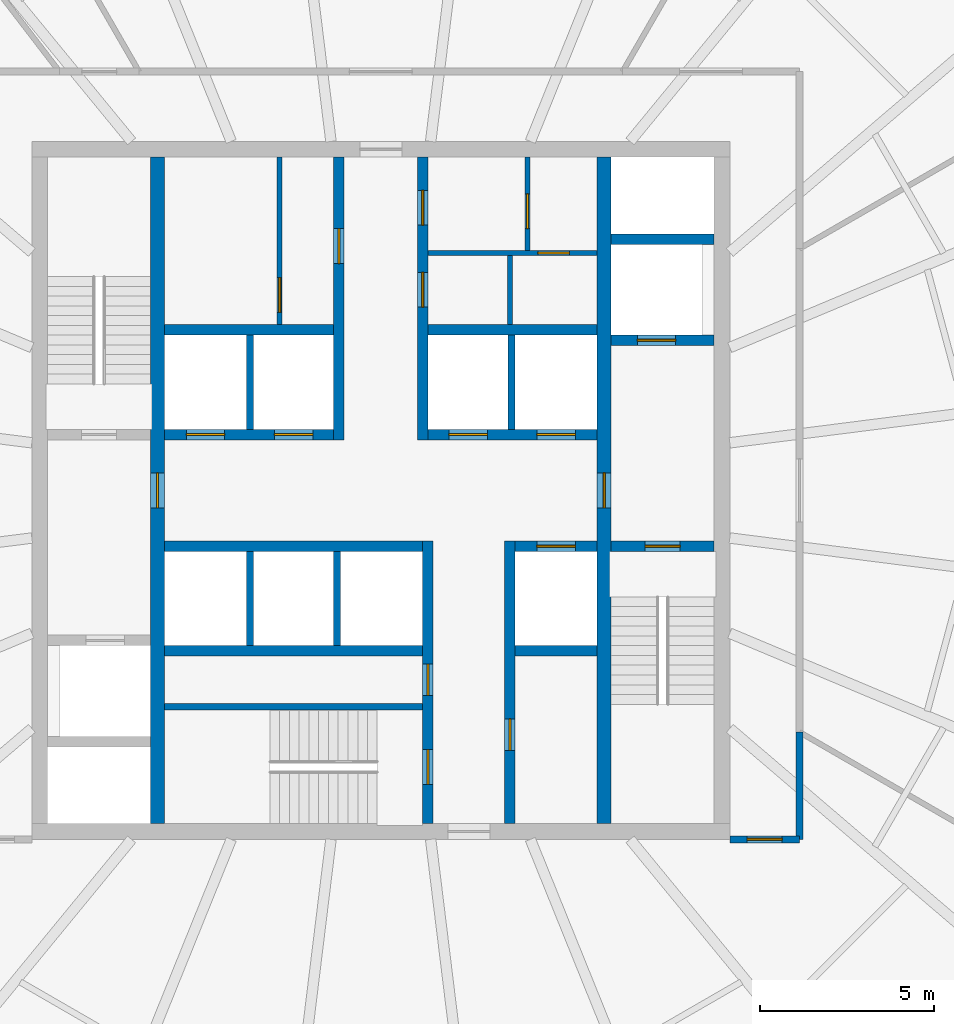
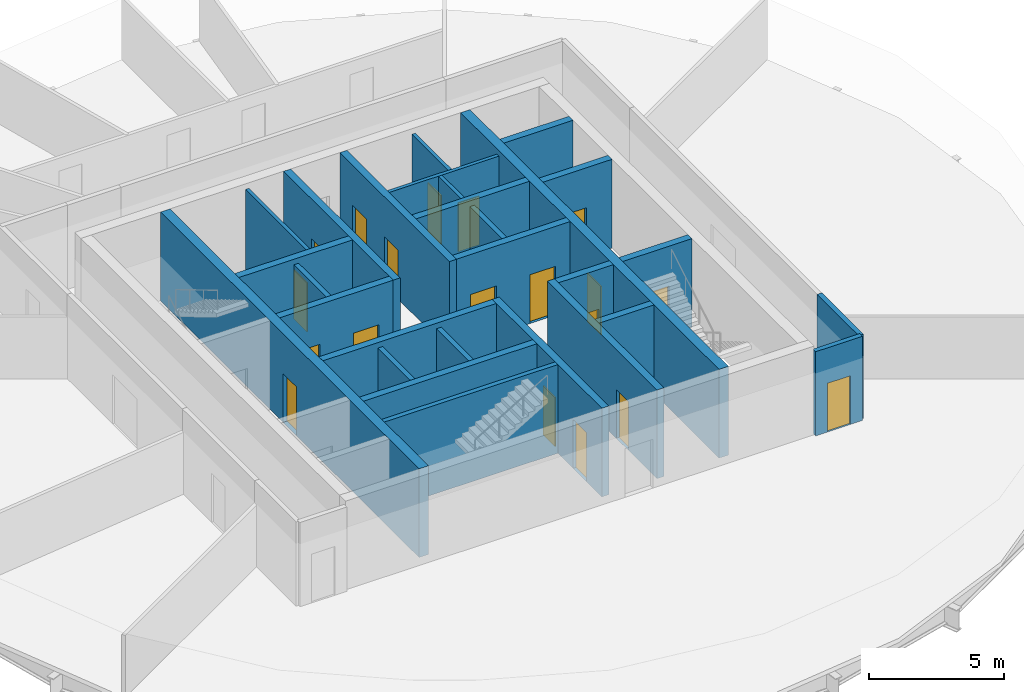
# One storey, part 3 of 5: 28 walls, 19 doors, 19 openings.
"""IFC4 building model written with IfcOpenShell, lengths in metres."""

import ifcopenshell
import ifcopenshell.guid

model = None  # the IFC model being written
_history = None  # IfcOwnerHistory: only IFC2X3 demands one
_inside = {}  # id of a spatial element -> (the spatial element, [elements in it])
_under = {}  # id of a project, library or spatial element -> (it, [spatial elements below it])
_declared = {}  # id of a project -> (the project, [libraries it declares])
_typed = {}  # id of a type object -> (the type object, [elements of that type])
_made_of = {}  # id of a material, layer set ... -> (it, [elements and type objects made of it])


def new_model(schema):
    """Start an empty IFC model of exactly this schema.

    Asked for "IFC4X3", IfcOpenShell would pick the latest addendum, in which some entities
    have other attributes; the version numbers below select the first issue.
    IFC2X3 requires an IfcOwnerHistory on every rooted entity: one is made here for all.
    """
    global model, _history
    if schema == "IFC4X3":
        model = ifcopenshell.file(schema_version=(4, 3, 0, 0))
    else:
        model = ifcopenshell.file(schema=schema)
    _inside.clear()
    _under.clear()
    _declared.clear()
    _typed.clear()
    _made_of.clear()
    _history = None
    if model.schema == "IFC2X3":
        org = make("IfcOrganization", Name="unknown")
        user = make(
            "IfcPersonAndOrganization",
            ThePerson=make("IfcPerson", FamilyName="unknown"),
            TheOrganization=org,
        )
        app = make(
            "IfcApplication",
            ApplicationDeveloper=org,
            Version="unknown",
            ApplicationFullName="unknown",
            ApplicationIdentifier="unknown",
        )
        _history = make(
            "IfcOwnerHistory",
            OwningUser=user,
            OwningApplication=app,
            ChangeAction="ADDED",
            CreationDate=0,
        )
    return model


def make(cls, **values):
    """One entity of the class cls with the attributes given. An attribute that is None is left unset."""
    return model.create_entity(
        cls, **{name: value for name, value in values.items() if value is not None}
    )


def rooted(cls, **values):
    """An entity with a GlobalId (a new one), such as an element, a storey or a relation."""
    return make(cls, GlobalId=ifcopenshell.guid.new(), OwnerHistory=_history, **values)


def si_unit(unit_type, name, prefix=None):
    """IfcSIUnit, for example si_unit("LENGTHUNIT", "METRE", prefix="MILLI")."""
    return make("IfcSIUnit", UnitType=unit_type, Prefix=prefix, Name=name)


def assignment(units):
    """IfcUnitAssignment: the units of a project."""
    return None if units is None else make("IfcUnitAssignment", Units=units)


def point(xyz):
    """IfcCartesianPoint."""
    return None if xyz is None else make("IfcCartesianPoint", Coordinates=xyz)


def direction(xyz):
    """IfcDirection."""
    return None if xyz is None else make("IfcDirection", DirectionRatios=xyz)


def frame(location, z_axis=None, x_axis=None):
    """IfcAxis2Placement3D, a coordinate frame: its origin and axes. An axis left out is left unset."""
    return make(
        "IfcAxis2Placement3D",
        Location=point(location),
        Axis=direction(z_axis),
        RefDirection=direction(x_axis),
    )


def frame_2d(location, x_axis=None):
    """IfcAxis2Placement2D, a coordinate frame in the plane: its origin and x axis."""
    return make(
        "IfcAxis2Placement2D", Location=point(location), RefDirection=direction(x_axis)
    )


def origin():
    """The frame at (0, 0, 0) with its axes left unset."""
    return frame((0.0, 0.0, 0.0))


def place(relative_to, where):
    """IfcLocalPlacement: puts the frame where relative to a parent placement (None: the world)."""
    return make(
        "IfcLocalPlacement", PlacementRelTo=relative_to, RelativePlacement=where
    )


def context(
    kind, dimensions, precision=None, world=None, true_north=None, identifier=None
):
    """IfcGeometricRepresentationContext, for example the 3D "Model" context."""
    return make(
        "IfcGeometricRepresentationContext",
        ContextIdentifier=identifier,
        ContextType=kind,
        CoordinateSpaceDimension=dimensions,
        Precision=precision,
        WorldCoordinateSystem=world,
        TrueNorth=true_north,
    )


def subcontext(parent, identifier, kind, view, scale=None):
    """IfcGeometricRepresentationSubContext, for example "Body" below "Model"."""
    return make(
        "IfcGeometricRepresentationSubContext",
        ContextIdentifier=identifier,
        ContextType=kind,
        ParentContext=parent,
        TargetScale=scale,
        TargetView=view,
    )


def project(units=None, contexts=None):
    """IfcProject with its units and contexts."""
    return rooted(
        "IfcProject",
        Name="project",
        RepresentationContexts=contexts,
        UnitsInContext=assignment(units),
    )


def spatial(cls, under=None, at=None, **own):
    """A site, building, storey or space (cls), placed at a placement, below another one or the project."""
    s = rooted(cls, ObjectPlacement=at, **own)
    if under is not None:
        _under.setdefault(under.id(), (under, []))[1].append(s)
    return s


def profile(cls, at=None, kind="AREA", **sizes):
    """A parametric profile (cls). Its sizes go by their IFC names, for example OverallWidth=200.0."""
    return make(cls, ProfileType=kind, Position=at, **sizes)


def rectangle(**sizes):
    """IfcRectangleProfileDef."""
    return profile("IfcRectangleProfileDef", **sizes)


def extrude(swept, where, along, depth):
    """IfcExtrudedAreaSolid: the profile swept, set in the frame where, extruded along a direction by depth."""
    return make(
        "IfcExtrudedAreaSolid",
        SweptArea=swept,
        Position=where,
        ExtrudedDirection=direction(along),
        Depth=depth,
    )


def shape(context_of_items, identifier, shape_type, items):
    """IfcShapeRepresentation: the items that make up one representation, for example the "Body"."""
    return make(
        "IfcShapeRepresentation",
        ContextOfItems=context_of_items,
        RepresentationIdentifier=identifier,
        RepresentationType=shape_type,
        Items=items,
    )


def material(Name=None, Category=None):
    """IfcMaterial."""
    return make("IfcMaterial", Name=Name, Category=Category)


def layer(
    of_material, thickness, ventilated=None, Name=None, Category=None, Priority=None
):
    """IfcMaterialLayer: one layer of a wall or slab, of a material (None: an air gap)."""
    return make(
        "IfcMaterialLayer",
        Material=of_material,
        LayerThickness=thickness,
        IsVentilated=ventilated,
        Name=Name,
        Category=Category,
        Priority=Priority,
    )


def layer_set(layers, Name=None):
    """IfcMaterialLayerSet."""
    return make("IfcMaterialLayerSet", MaterialLayers=layers, LayerSetName=Name)


def made_of(thing, what):
    """Note that an element or type object is made of a material, layer set ...; save() writes the relation."""
    if what is not None:
        _made_of.setdefault(what.id(), (what, []))[1].append(thing)
    return thing


def type_object(cls, material=None, **own):
    """A type object (cls), such as IfcWallType, which elements share."""
    return made_of(rooted(cls, **own), material)


def element(
    cls,
    number,
    at=None,
    inside=None,
    cuts=None,
    type_object=None,
    material=None,
    context=None,
    identifier="Body",
    shape_type=None,
    held_by="IfcProductDefinitionShape",
    body=None,
    shapes=None,
    **own,
):
    """One element of the class cls, such as IfcWall. Its Tag is "e" and its number.

    at: its placement. inside: the storey or other place that contains it. cuts: it is an
    opening in that element (IfcRelVoidsElement). A single representation is given by context,
    identifier, shape_type and body (its items); several are given by shapes. held_by: the class
    of the entity that holds the representations. save() writes the other relations.
    """
    e = rooted(cls, Tag="e%d" % number, ObjectPlacement=at, **own)
    if body is not None:
        shapes = [shape(context, identifier, shape_type, body)]
    if shapes is not None:
        e.Representation = make(held_by, Representations=shapes)
    if inside is not None:
        _inside.setdefault(inside.id(), (inside, []))[1].append(e)
    if cuts is not None:
        rooted(
            "IfcRelVoidsElement", RelatingBuildingElement=cuts, RelatedOpeningElement=e
        )
    if type_object is not None:
        _typed.setdefault(type_object.id(), (type_object, []))[1].append(e)
    return made_of(e, material)


def fill(opening, filler):
    """IfcRelFillsElement: the door or window that sits in an opening."""
    return rooted(
        "IfcRelFillsElement",
        RelatingOpeningElement=opening,
        RelatedBuildingElement=filler,
    )


def aggregate(whole, parts):
    """IfcRelAggregates: a whole, such as a stair, and the parts it consists of."""
    return rooted("IfcRelAggregates", RelatingObject=whole, RelatedObjects=parts)


def save(model, path):
    """Write the relations noted so far, then the file.

    IfcRelAggregates (storeys below a building ...), IfcRelContainedInSpatialStructure (elements
    in a storey), IfcRelDefinesByType, IfcRelAssociatesMaterial and IfcRelDeclares: one each for
    every whole, place, type object, material and project.
    """
    for whole, parts in _under.values():
        aggregate(whole, parts)
    for where, things in _inside.values():
        rooted(
            "IfcRelContainedInSpatialStructure",
            RelatedElements=things,
            RelatingStructure=where,
        )
    for kind, things in _typed.values():
        rooted("IfcRelDefinesByType", RelatedObjects=things, RelatingType=kind)
    for what, things in _made_of.values():
        rooted("IfcRelAssociatesMaterial", RelatedObjects=things, RelatingMaterial=what)
    for by, libraries in _declared.values():
        rooted("IfcRelDeclares", RelatingContext=by, RelatedDefinitions=libraries)
    model.write(path)


model = new_model("IFC4")

# Units and contexts
model_context = context("Model", 3, precision=1e-05, world=origin(), true_north=direction((0.0, 1.0)))
body_context = subcontext(model_context, "Body", "Model", "MODEL_VIEW")
ifc_project = project(units=[si_unit("LENGTHUNIT", "METRE"), si_unit("AREAUNIT", "SQUARE_METRE"), si_unit("VOLUMEUNIT", "CUBIC_METRE"), si_unit("PLANEANGLEUNIT", "RADIAN"), si_unit("MASSUNIT", "GRAM", prefix="KILO")], contexts=[model_context])

# Site, building, storey
site_placement = place(None, origin())
site = spatial("IfcSite", under=ifc_project, at=site_placement, CompositionType="ELEMENT")
building_placement = place(site_placement, origin())
building = spatial("IfcBuilding", under=site, at=building_placement, Name="Golbaran Civic Tower", CompositionType="ELEMENT")
storey_placement = place(building_placement, frame((0.0, 0.0, 191.0)))
storey = spatial("IfcBuildingStorey", under=building, at=storey_placement, Name="L46", CompositionType="ELEMENT", Elevation=191.0)

# Wall, opening, door
ifc_material_1 = material(Name="Concrete block", Category="concrete")
ifc_layer_1 = layer(ifc_material_1, 0.14990234375, Name="Concrete block")
ifc_layer_set_1 = layer_set([ifc_layer_1], Name="Concrete block")
wall_type_1 = type_object("IfcWallType", Name="BLOCKWORK PARTITION 150", PredefinedType="PARTITIONING", material=ifc_layer_set_1)
wall_1_placement = place(storey_placement, frame((1.35009765625, 6.800048828125, 0.0), z_axis=(0.0, 0.0, 1.0), x_axis=(1.0, 0.0, 0.0)))
wall_1 = element("IfcWall", 1, at=wall_1_placement, inside=storey, type_object=wall_type_1, Name="Toilet block partition TN1 L46", PredefinedType="PARTITIONING", context=body_context, shape_type="SweptSolid", body=[
    extrude(rectangle(XDim=4.849853515625, YDim=0.14990234375, at=frame_2d((2.4248046875, 0.0))), origin(), (0.0, 0.0, 1.0), 3.75),
])
opening_1_placement = place(wall_1_placement, frame((3.14990234375, 0.0, 0.0)))
opening_1 = element("IfcOpeningElement", 2, at=opening_1_placement, cuts=wall_1, Name="Opening L46.CLN", PredefinedType="OPENING", context=body_context, shape_type="SweptSolid", body=[
    extrude(rectangle(XDim=0.89990234375, YDim=2.199951171875, at=frame_2d((0.449951171875, 1.10009765625))), frame((0.0, 0.0849609375, 0.0), z_axis=(0.0, -1.0, 0.0), x_axis=(1.0, 0.0, 0.0)), (0.0, 0.0, 1.0), 0.169921875),
])
ifc_material_2 = material(Name="Timber door set in steel frame", Category="steel")
door_type_1 = type_object("IfcDoorType", Name="RISER DOOR 900x2200", OperationType="SINGLE_SWING_LEFT", PredefinedType="DOOR", material=ifc_material_2)
door_1_placement = place(opening_1_placement, origin())
door_1 = element("IfcDoor", 3, at=door_1_placement, inside=storey, type_object=door_type_1, Name="Sanitary Supplies Store door", OperationType="SINGLE_SWING_RIGHT", OverallHeight=2.199951171875, OverallWidth=0.89990234375, PredefinedType="DOOR", context=body_context, shape_type="SweptSolid", body=[
    extrude(rectangle(XDim=0.89990234375, YDim=2.199951171875, at=frame_2d((0.449951171875, 1.10009765625))), frame((0.0, 0.02490234375, 0.0), z_axis=(0.0, -1.0, 0.0), x_axis=(1.0, 0.0, 0.0)), (0.0, 0.0, 1.0), 0.050048828125),
])
fill(opening_1, door_1)

# Wall
wall_2_placement = place(storey_placement, frame((3.699951171875, 4.75, 0.0), z_axis=(0.0, 0.0, 1.0), x_axis=(0.0, 1.0, 0.0)))
element("IfcWall", 4, at=wall_2_placement, inside=storey, type_object=wall_type_1, Name="Toilet block partition TN2 L46", PredefinedType="PARTITIONING", context=body_context, shape_type="SweptSolid", body=[
    extrude(rectangle(XDim=1.97509765625, YDim=0.14990234375, at=frame_2d((0.987548828125, 0.0))), origin(), (0.0, 0.0, 1.0), 3.75),
])

# Wall, opening, door
ifc_material_3 = material(Name="Concrete C50/60", Category="concrete")
ifc_layer_2 = layer(ifc_material_3, 0.39990234375, Name="Concrete C50/60")
ifc_layer_set_2 = layer_set([ifc_layer_2], Name="Concrete C50/60")
wall_type_2 = type_object("IfcWallType", Name="CORE WALL CONCRETE 400", PredefinedType="SOLIDWALL", material=ifc_layer_set_2)
wall_3_placement = place(storey_placement, frame((-6.39990234375, -9.550048828125, 0.0), z_axis=(0.0, 0.0, 1.0), x_axis=(0.0, 1.0, 0.0)))
wall_3 = element("IfcWall", 5, at=wall_3_placement, inside=storey, type_object=wall_type_2, Name="Core wall IW L46", PredefinedType="SOLIDWALL", context=body_context, shape_type="SweptSolid", body=[
    extrude(rectangle(XDim=19.10009765625, YDim=0.39990234375, at=frame_2d((9.550048828125, 0.0))), origin(), (0.0, 0.0, 1.0), 4.0),
])
opening_2_placement = place(wall_3_placement, frame((9.050048828125, 0.0, 0.0)))
opening_2 = element("IfcOpeningElement", 6, at=opening_2_placement, cuts=wall_3, Name="Opening L46.FL1", PredefinedType="OPENING", context=body_context, shape_type="SweptSolid", body=[
    extrude(rectangle(XDim=1.0, YDim=2.199951171875, at=frame_2d((0.5, 1.10009765625))), frame((0.0, 0.2099609375, 0.0), z_axis=(0.0, -1.0, 0.0), x_axis=(1.0, 0.0, 0.0)), (0.0, 0.0, 1.0), 0.419921875),
])
door_type_2 = type_object("IfcDoorType", Name="STAIR DOOR 1000x2200", OperationType="SINGLE_SWING_LEFT", PredefinedType="DOOR", material=ifc_material_2)
door_2_placement = place(opening_2_placement, origin())
door_2 = element("IfcDoor", 7, at=door_2_placement, inside=storey, type_object=door_type_2, Name="Fire-fighting lobby FL1 door", OperationType="SINGLE_SWING_LEFT", OverallHeight=2.199951171875, OverallWidth=1.0, PredefinedType="DOOR", context=body_context, shape_type="SweptSolid", body=[
    extrude(rectangle(XDim=1.0, YDim=2.199951171875, at=frame_2d((0.5, 1.10009765625))), frame((0.0, 0.02490234375, 0.0), z_axis=(0.0, -1.0, 0.0), x_axis=(1.0, 0.0, 0.0)), (0.0, 0.0, 1.0), 0.050048828125),
])
fill(opening_2, door_2)

wall_4_placement = place(storey_placement, frame((6.39990234375, 9.550048828125, 0.0), z_axis=(0.0, 0.0, 1.0), x_axis=(0.0, -1.0, 0.0)))
wall_4 = element("IfcWall", 8, at=wall_4_placement, inside=storey, type_object=wall_type_2, Name="Core wall IE L46", PredefinedType="SOLIDWALL", context=body_context, shape_type="SweptSolid", body=[
    extrude(rectangle(XDim=19.10009765625, YDim=0.39990234375, at=frame_2d((9.550048828125, 0.0))), origin(), (0.0, 0.0, 1.0), 4.0),
])
opening_3_placement = place(wall_4_placement, frame((9.050048828125, 0.0, 0.0)))
opening_3 = element("IfcOpeningElement", 9, at=opening_3_placement, cuts=wall_4, Name="Opening L46.FL2", PredefinedType="OPENING", context=body_context, shape_type="SweptSolid", body=[
    extrude(rectangle(XDim=1.0, YDim=2.199951171875, at=frame_2d((0.5, 1.10009765625))), frame((0.0, 0.2099609375, 0.0), z_axis=(0.0, -1.0, 0.0), x_axis=(1.0, 0.0, 0.0)), (0.0, 0.0, 1.0), 0.419921875),
])
door_3_placement = place(opening_3_placement, origin())
door_3 = element("IfcDoor", 10, at=door_3_placement, inside=storey, type_object=door_type_2, Name="Fire-fighting lobby FL2 door", OperationType="SINGLE_SWING_RIGHT", OverallHeight=2.199951171875, OverallWidth=1.0, PredefinedType="DOOR", context=body_context, shape_type="SweptSolid", body=[
    extrude(rectangle(XDim=1.0, YDim=2.199951171875, at=frame_2d((0.5, 1.10009765625))), frame((0.0, 0.02490234375, 0.0), z_axis=(0.0, -1.0, 0.0), x_axis=(1.0, 0.0, 0.0)), (0.0, 0.0, 1.0), 0.050048828125),
])
fill(opening_3, door_3)

# Wall
ifc_material_4 = material(Name="Gypsum board on steel studs, fire-rated", Category="steel")
ifc_layer_3 = layer(ifc_material_4, 0.199951171875, Name="Gypsum board on steel studs, fire-rated")
ifc_layer_set_3 = layer_set([ifc_layer_3], Name="Gypsum board on steel studs, fire-rated")
wall_type_3 = type_object("IfcWallType", Name="CORRIDOR WALL 200", PredefinedType="PARTITIONING", material=ifc_layer_set_3)
wall_5_placement = place(storey_placement, frame((12.0, -10.0, 0.0), z_axis=(0.0, 0.0, 1.0), x_axis=(0.0, 1.0, 0.0)))
element("IfcWall", 11, at=wall_5_placement, inside=storey, type_object=wall_type_3, Name="Corridor wall L46", PredefinedType="PARTITIONING", context=body_context, shape_type="SweptSolid", body=[
    extrude(rectangle(XDim=3.07177734375, YDim=0.199951171875, at=frame_2d((1.535888671875, 0.0))), origin(), (0.0, 0.0, 1.0), 3.800048828125),
])

# Wall, opening, door
wall_6_placement = place(storey_placement, frame((10.0, -10.0, 0.0), z_axis=(0.0, 0.0, 1.0), x_axis=(1.0, 0.0, 0.0)))
wall_6 = element("IfcWall", 12, at=wall_6_placement, inside=storey, type_object=wall_type_3, Name="Corridor end wall L46", PredefinedType="PARTITIONING", context=body_context, shape_type="SweptSolid", body=[
    extrude(rectangle(XDim=2.0, YDim=0.199951171875, at=frame_2d((1.0, 0.0))), origin(), (0.0, 0.0, 1.0), 3.800048828125),
])
opening_4_placement = place(wall_6_placement, frame((0.5, 0.0, 0.0)))
opening_4 = element("IfcOpeningElement", 13, at=opening_4_placement, cuts=wall_6, Name="Opening L46.14", PredefinedType="OPENING", context=body_context, shape_type="SweptSolid", body=[
    extrude(rectangle(XDim=1.0, YDim=2.199951171875, at=frame_2d((0.5, 1.10009765625))), frame((0.0, 0.10986328125, 0.0), z_axis=(0.0, -1.0, 0.0), x_axis=(1.0, 0.0, 0.0)), (0.0, 0.0, 1.0), 0.219970703125),
])
door_type_3 = type_object("IfcDoorType", Name="OFFICE DOOR 1000x2200", OperationType="SINGLE_SWING_LEFT", PredefinedType="DOOR", material=ifc_material_2)
door_4_placement = place(opening_4_placement, origin())
door_4 = element("IfcDoor", 14, at=door_4_placement, inside=storey, type_object=door_type_3, Name="Open Office door L46", OperationType="SINGLE_SWING_LEFT", OverallHeight=2.199951171875, OverallWidth=1.0, PredefinedType="DOOR", context=body_context, shape_type="SweptSolid", body=[
    extrude(rectangle(XDim=1.0, YDim=2.199951171875, at=frame_2d((0.5, 1.10009765625))), frame((0.0, 0.02490234375, 0.0), z_axis=(0.0, -1.0, 0.0), x_axis=(1.0, 0.0, 0.0)), (0.0, 0.0, 1.0), 0.050048828125),
])
fill(opening_4, door_4)

# Walls
ifc_layer_4 = layer(ifc_material_1, 0.199951171875, Name="Concrete block")
ifc_layer_set_4 = layer_set([ifc_layer_4], Name="Concrete block")
wall_type_4 = type_object("IfcWallType", Name="LIFT SEPARATOR WALL 200", PredefinedType="SOLIDWALL", material=ifc_layer_set_4)
for number, where, z_axis, x_axis, name in (
    (15, (-3.75, 1.75, 0.0), (0.0, 0.0, 1.0), (0.0, 1.0, 0.0), "Core partition SNW L46"),
    (16, (3.75, 1.75, 0.0), (0.0, 0.0, 1.0), (0.0, 1.0, 0.0), "Core partition SNE L46"),
    (17, (-3.75, -1.75, 0.0), (0.0, 0.0, 1.0), (0.0, -1.0, 0.0), "Core partition SSW L46"),
    (18, (-1.25, -1.75, 0.0), (0.0, 0.0, 1.0), (0.0, -1.0, 0.0), "Core partition SSM L46"),
):
    element("IfcWall", number, at=place(storey_placement, frame(where, z_axis=z_axis, x_axis=x_axis)), inside=storey, type_object=wall_type_4, Name=name, PredefinedType="SOLIDWALL", context=body_context, shape_type="SweptSolid", body=[
        extrude(rectangle(XDim=2.699951171875, YDim=0.199951171875, at=frame_2d((1.35009765625, 0.0))), origin(), (0.0, 0.0, 1.0), 3.75),
    ])
ifc_layer_5 = layer(ifc_material_3, 0.199951171875, Name="Concrete C50/60")
ifc_layer_set_5 = layer_set([ifc_layer_5], Name="Concrete C50/60")
wall_type_5 = type_object("IfcWallType", Name="SHAFT WALL CONCRETE 200", PredefinedType="SOLIDWALL", material=ifc_layer_set_5)
wall_7_placement = place(storey_placement, frame((-6.199951171875, -6.199951171875, 0.0), z_axis=(0.0, 0.0, 1.0), x_axis=(1.0, 0.0, 0.0)))
element("IfcWall", 19, at=wall_7_placement, inside=storey, type_object=wall_type_5, Name="Core wall S3N L46", PredefinedType="SOLIDWALL", context=body_context, shape_type="SweptSolid", body=[
    extrude(rectangle(XDim=7.39990234375, YDim=0.199951171875, at=frame_2d((3.699951171875, 0.0))), origin(), (0.0, 0.0, 1.0), 4.0),
])

# Wall, openings, doors
ifc_layer_6 = layer(ifc_material_3, 0.300048828125, Name="Concrete C50/60")
ifc_layer_set_6 = layer_set([ifc_layer_6], Name="Concrete C50/60")
wall_type_6 = type_object("IfcWallType", Name="SHAFT WALL CONCRETE 300", PredefinedType="SOLIDWALL", material=ifc_layer_set_6)
wall_8_placement = place(storey_placement, frame((-6.199951171875, 1.60009765625, 0.0), z_axis=(0.0, 0.0, 1.0), x_axis=(1.0, 0.0, 0.0)))
wall_8 = element("IfcWall", 20, at=wall_8_placement, inside=storey, type_object=wall_type_6, Name="Core wall FNW L46", PredefinedType="SOLIDWALL", context=body_context, shape_type="SweptSolid", body=[
    extrude(rectangle(XDim=4.849853515625, YDim=0.300048828125, at=frame_2d((2.4248046875, 0.0))), origin(), (0.0, 0.0, 1.0), 4.0),
])
opening_5_placement = place(wall_8_placement, frame((0.625, 0.0, 0.0)))
opening_5 = element("IfcOpeningElement", 21, at=opening_5_placement, cuts=wall_8, Name="Opening L46.LD-Z1H", PredefinedType="OPENING", context=body_context, shape_type="SweptSolid", body=[
    extrude(rectangle(XDim=1.10009765625, YDim=2.199951171875, at=frame_2d((0.550048828125, 1.10009765625))), frame((0.0, 0.159912109375, 0.0), z_axis=(0.0, -1.0, 0.0), x_axis=(1.0, 0.0, 0.0)), (0.0, 0.0, 1.0), 0.320068359375),
])
opening_6_placement = place(wall_8_placement, frame((3.14990234375, 0.0, 0.0)))
opening_6 = element("IfcOpeningElement", 22, at=opening_6_placement, cuts=wall_8, Name="Opening L46.LD-Z2H", PredefinedType="OPENING", context=body_context, shape_type="SweptSolid", body=[
    extrude(rectangle(XDim=1.10009765625, YDim=2.199951171875, at=frame_2d((0.550048828125, 1.10009765625))), frame((0.0, 0.159912109375, 0.0), z_axis=(0.0, -1.0, 0.0), x_axis=(1.0, 0.0, 0.0)), (0.0, 0.0, 1.0), 0.320068359375),
])
ifc_material_5 = material(Name="Stainless steel", Category="steel")
door_type_4 = type_object("IfcDoorType", Name="LIFT LANDING DOOR 1100x2200", OperationType="SLIDING_TO_LEFT", PredefinedType="DOOR", material=ifc_material_5)
door_5_placement = place(opening_5_placement, origin())
door_5 = element("IfcDoor", 23, at=door_5_placement, inside=storey, type_object=door_type_4, Name="Lift landing door Z1H", OperationType="SLIDING_TO_LEFT", OverallHeight=2.199951171875, OverallWidth=1.10009765625, PredefinedType="DOOR", context=body_context, shape_type="SweptSolid", body=[
    extrude(rectangle(XDim=1.10009765625, YDim=2.199951171875, at=frame_2d((0.550048828125, 1.10009765625))), frame((0.0, 0.02490234375, 0.0), z_axis=(0.0, -1.0, 0.0), x_axis=(1.0, 0.0, 0.0)), (0.0, 0.0, 1.0), 0.050048828125),
])
fill(opening_5, door_5)
door_6_placement = place(opening_6_placement, origin())
door_6 = element("IfcDoor", 24, at=door_6_placement, inside=storey, type_object=door_type_4, Name="Lift landing door Z2H", OperationType="SLIDING_TO_LEFT", OverallHeight=2.199951171875, OverallWidth=1.10009765625, PredefinedType="DOOR", context=body_context, shape_type="SweptSolid", body=[
    extrude(rectangle(XDim=1.10009765625, YDim=2.199951171875, at=frame_2d((0.550048828125, 1.10009765625))), frame((0.0, 0.02490234375, 0.0), z_axis=(0.0, -1.0, 0.0), x_axis=(1.0, 0.0, 0.0)), (0.0, 0.0, 1.0), 0.050048828125),
])
fill(opening_6, door_6)

wall_9_placement = place(storey_placement, frame((1.35009765625, 1.60009765625, 0.0), z_axis=(0.0, 0.0, 1.0), x_axis=(1.0, 0.0, 0.0)))
wall_9 = element("IfcWall", 25, at=wall_9_placement, inside=storey, type_object=wall_type_6, Name="Core wall FNE L46", PredefinedType="SOLIDWALL", context=body_context, shape_type="SweptSolid", body=[
    extrude(rectangle(XDim=4.849853515625, YDim=0.300048828125, at=frame_2d((2.4248046875, 0.0))), origin(), (0.0, 0.0, 1.0), 4.0),
])
opening_7_placement = place(wall_9_placement, frame((0.60009765625, 0.0, 0.0)))
opening_7 = element("IfcOpeningElement", 26, at=opening_7_placement, cuts=wall_9, Name="Opening L46.LD-Z3H", PredefinedType="OPENING", context=body_context, shape_type="SweptSolid", body=[
    extrude(rectangle(XDim=1.10009765625, YDim=2.199951171875, at=frame_2d((0.550048828125, 1.10009765625))), frame((0.0, 0.159912109375, 0.0), z_axis=(0.0, -1.0, 0.0), x_axis=(1.0, 0.0, 0.0)), (0.0, 0.0, 1.0), 0.320068359375),
])
opening_8_placement = place(wall_9_placement, frame((3.125, 0.0, 0.0)))
opening_8 = element("IfcOpeningElement", 27, at=opening_8_placement, cuts=wall_9, Name="Opening L46.LD-Z4H", PredefinedType="OPENING", context=body_context, shape_type="SweptSolid", body=[
    extrude(rectangle(XDim=1.10009765625, YDim=2.199951171875, at=frame_2d((0.550048828125, 1.10009765625))), frame((0.0, 0.159912109375, 0.0), z_axis=(0.0, -1.0, 0.0), x_axis=(1.0, 0.0, 0.0)), (0.0, 0.0, 1.0), 0.320068359375),
])
door_7_placement = place(opening_7_placement, origin())
door_7 = element("IfcDoor", 28, at=door_7_placement, inside=storey, type_object=door_type_4, Name="Lift landing door Z3H", OperationType="SLIDING_TO_LEFT", OverallHeight=2.199951171875, OverallWidth=1.10009765625, PredefinedType="DOOR", context=body_context, shape_type="SweptSolid", body=[
    extrude(rectangle(XDim=1.10009765625, YDim=2.199951171875, at=frame_2d((0.550048828125, 1.10009765625))), frame((0.0, 0.02490234375, 0.0), z_axis=(0.0, -1.0, 0.0), x_axis=(1.0, 0.0, 0.0)), (0.0, 0.0, 1.0), 0.050048828125),
])
fill(opening_7, door_7)
door_8_placement = place(opening_8_placement, origin())
door_8 = element("IfcDoor", 29, at=door_8_placement, inside=storey, type_object=door_type_4, Name="Lift landing door Z4H", OperationType="SLIDING_TO_LEFT", OverallHeight=2.199951171875, OverallWidth=1.10009765625, PredefinedType="DOOR", context=body_context, shape_type="SweptSolid", body=[
    extrude(rectangle(XDim=1.10009765625, YDim=2.199951171875, at=frame_2d((0.550048828125, 1.10009765625))), frame((0.0, 0.02490234375, 0.0), z_axis=(0.0, -1.0, 0.0), x_axis=(1.0, 0.0, 0.0)), (0.0, 0.0, 1.0), 0.050048828125),
])
fill(opening_8, door_8)

# Walls
for number, where, z_axis, x_axis, name in (
    (30, (-6.199951171875, 4.60009765625, 0.0), (0.0, 0.0, 1.0), (1.0, 0.0, 0.0), "Core wall BNW L46"),
    (31, (1.35009765625, 4.60009765625, 0.0), (0.0, 0.0, 1.0), (1.0, 0.0, 0.0), "Core wall BNE L46"),
):
    element("IfcWall", number, at=place(storey_placement, frame(where, z_axis=z_axis, x_axis=x_axis)), inside=storey, type_object=wall_type_6, Name=name, PredefinedType="SOLIDWALL", context=body_context, shape_type="SweptSolid", body=[
        extrude(rectangle(XDim=4.849853515625, YDim=0.300048828125, at=frame_2d((2.4248046875, 0.0))), origin(), (0.0, 0.0, 1.0), 4.0),
    ])

# Wall, opening, door
wall_10_placement = place(storey_placement, frame((-1.199951171875, 1.449951171875, 0.0), z_axis=(0.0, 0.0, 1.0), x_axis=(0.0, 1.0, 0.0)))
wall_10 = element("IfcWall", 32, at=wall_10_placement, inside=storey, type_object=wall_type_6, Name="Core wall PNW L46", PredefinedType="SOLIDWALL", context=body_context, shape_type="SweptSolid", body=[
    extrude(rectangle(XDim=8.10009765625, YDim=0.300048828125, at=frame_2d((4.050048828125, 0.0))), origin(), (0.0, 0.0, 1.0), 4.0),
])
opening_9_placement = place(wall_10_placement, frame((5.050048828125, 0.0, 0.0)))
opening_9 = element("IfcOpeningElement", 33, at=opening_9_placement, cuts=wall_10, Name="Opening L46.WCM", PredefinedType="OPENING", context=body_context, shape_type="SweptSolid", body=[
    extrude(rectangle(XDim=1.0, YDim=2.199951171875, at=frame_2d((0.5, 1.10009765625))), frame((0.0, 0.159912109375, 0.0), z_axis=(0.0, -1.0, 0.0), x_axis=(1.0, 0.0, 0.0)), (0.0, 0.0, 1.0), 0.320068359375),
])
door_type_5 = type_object("IfcDoorType", Name="TOILET DOOR 1000x2200", OperationType="SINGLE_SWING_LEFT", PredefinedType="DOOR", material=ifc_material_2)
door_9_placement = place(opening_9_placement, origin())
door_9 = element("IfcDoor", 34, at=door_9_placement, inside=storey, type_object=door_type_5, Name="North-west toilet block door", OperationType="SINGLE_SWING_RIGHT", OverallHeight=2.199951171875, OverallWidth=1.0, PredefinedType="DOOR", context=body_context, shape_type="SweptSolid", body=[
    extrude(rectangle(XDim=1.0, YDim=2.199951171875, at=frame_2d((0.5, 1.10009765625))), frame((0.0, 0.02490234375, 0.0), z_axis=(0.0, -1.0, 0.0), x_axis=(1.0, 0.0, 0.0)), (0.0, 0.0, 1.0), 0.050048828125),
])
fill(opening_9, door_9)

# Wall, openings, doors
wall_11_placement = place(storey_placement, frame((1.199951171875, 1.449951171875, 0.0), z_axis=(0.0, 0.0, 1.0), x_axis=(0.0, 1.0, 0.0)))
wall_11 = element("IfcWall", 35, at=wall_11_placement, inside=storey, type_object=wall_type_6, Name="Core wall PNE L46", PredefinedType="SOLIDWALL", context=body_context, shape_type="SweptSolid", body=[
    extrude(rectangle(XDim=8.10009765625, YDim=0.300048828125, at=frame_2d((4.050048828125, 0.0))), origin(), (0.0, 0.0, 1.0), 4.0),
])
opening_10_placement = place(wall_11_placement, frame((3.800048828125, 0.0, 0.0)))
opening_10 = element("IfcOpeningElement", 36, at=opening_10_placement, cuts=wall_11, Name="Opening L46.WCA", PredefinedType="OPENING", context=body_context, shape_type="SweptSolid", body=[
    extrude(rectangle(XDim=1.0, YDim=2.199951171875, at=frame_2d((0.5, 1.10009765625))), frame((0.0, 0.159912109375, 0.0), z_axis=(0.0, -1.0, 0.0), x_axis=(1.0, 0.0, 0.0)), (0.0, 0.0, 1.0), 0.320068359375),
])
opening_11_placement = place(wall_11_placement, frame((6.14990234375, 0.0, 0.0)))
opening_11 = element("IfcOpeningElement", 37, at=opening_11_placement, cuts=wall_11, Name="Opening L46.WCF", PredefinedType="OPENING", context=body_context, shape_type="SweptSolid", body=[
    extrude(rectangle(XDim=1.0, YDim=2.199951171875, at=frame_2d((0.5, 1.10009765625))), frame((0.0, 0.159912109375, 0.0), z_axis=(0.0, -1.0, 0.0), x_axis=(1.0, 0.0, 0.0)), (0.0, 0.0, 1.0), 0.320068359375),
])
door_10_placement = place(opening_10_placement, origin())
door_10 = element("IfcDoor", 38, at=door_10_placement, inside=storey, type_object=door_type_5, Name="Accessible WC door", OperationType="SINGLE_SWING_RIGHT", OverallHeight=2.199951171875, OverallWidth=1.0, PredefinedType="DOOR", context=body_context, shape_type="SweptSolid", body=[
    extrude(rectangle(XDim=1.0, YDim=2.199951171875, at=frame_2d((0.5, 1.10009765625))), frame((0.0, 0.02490234375, 0.0), z_axis=(0.0, -1.0, 0.0), x_axis=(1.0, 0.0, 0.0)), (0.0, 0.0, 1.0), 0.050048828125),
])
fill(opening_10, door_10)
door_11_placement = place(opening_11_placement, origin())
door_11 = element("IfcDoor", 39, at=door_11_placement, inside=storey, type_object=door_type_5, Name="North-east toilet block door", OperationType="SINGLE_SWING_RIGHT", OverallHeight=2.199951171875, OverallWidth=1.0, PredefinedType="DOOR", context=body_context, shape_type="SweptSolid", body=[
    extrude(rectangle(XDim=1.0, YDim=2.199951171875, at=frame_2d((0.5, 1.10009765625))), frame((0.0, 0.02490234375, 0.0), z_axis=(0.0, -1.0, 0.0), x_axis=(1.0, 0.0, 0.0)), (0.0, 0.0, 1.0), 0.050048828125),
])
fill(opening_11, door_11)

# Wall
wall_12_placement = place(storey_placement, frame((-6.199951171875, -1.60009765625, 0.0), z_axis=(0.0, 0.0, 1.0), x_axis=(1.0, 0.0, 0.0)))
element("IfcWall", 40, at=wall_12_placement, inside=storey, type_object=wall_type_6, Name="Core wall FSW L46", PredefinedType="SOLIDWALL", context=body_context, shape_type="SweptSolid", body=[
    extrude(rectangle(XDim=7.39990234375, YDim=0.300048828125, at=frame_2d((3.699951171875, 0.0))), origin(), (0.0, 0.0, 1.0), 4.0),
])

# Wall, opening, door
wall_13_placement = place(storey_placement, frame((3.85009765625, -1.60009765625, 0.0), z_axis=(0.0, 0.0, 1.0), x_axis=(1.0, 0.0, 0.0)))
wall_13 = element("IfcWall", 41, at=wall_13_placement, inside=storey, type_object=wall_type_6, Name="Core wall FSE L46", PredefinedType="SOLIDWALL", context=body_context, shape_type="SweptSolid", body=[
    extrude(rectangle(XDim=2.349853515625, YDim=0.300048828125, at=frame_2d((1.1748046875, 0.0))), origin(), (0.0, 0.0, 1.0), 4.0),
])
opening_12_placement = place(wall_13_placement, frame((0.625, 0.0, 0.0)))
opening_12 = element("IfcOpeningElement", 42, at=opening_12_placement, cuts=wall_13, Name="Opening L46.LD-V1", PredefinedType="OPENING", context=body_context, shape_type="SweptSolid", body=[
    extrude(rectangle(XDim=1.10009765625, YDim=2.199951171875, at=frame_2d((0.550048828125, 1.10009765625))), frame((0.0, 0.159912109375, 0.0), z_axis=(0.0, -1.0, 0.0), x_axis=(1.0, 0.0, 0.0)), (0.0, 0.0, 1.0), 0.320068359375),
])
door_12_placement = place(opening_12_placement, origin())
door_12 = element("IfcDoor", 43, at=door_12_placement, inside=storey, type_object=door_type_4, Name="Lift landing door V1", OperationType="SLIDING_TO_LEFT", OverallHeight=2.199951171875, OverallWidth=1.10009765625, PredefinedType="DOOR", context=body_context, shape_type="SweptSolid", body=[
    extrude(rectangle(XDim=1.10009765625, YDim=2.199951171875, at=frame_2d((0.550048828125, 1.10009765625))), frame((0.0, 0.02490234375, 0.0), z_axis=(0.0, -1.0, 0.0), x_axis=(1.0, 0.0, 0.0)), (0.0, 0.0, 1.0), 0.050048828125),
])
fill(opening_12, door_12)

# Walls
wall_14_placement = place(storey_placement, frame((-6.199951171875, -4.60009765625, 0.0), z_axis=(0.0, 0.0, 1.0), x_axis=(1.0, 0.0, 0.0)))
element("IfcWall", 44, at=wall_14_placement, inside=storey, type_object=wall_type_6, Name="Core wall BSW L46", PredefinedType="SOLIDWALL", context=body_context, shape_type="SweptSolid", body=[
    extrude(rectangle(XDim=7.39990234375, YDim=0.300048828125, at=frame_2d((3.699951171875, 0.0))), origin(), (0.0, 0.0, 1.0), 4.0),
])
wall_15_placement = place(storey_placement, frame((3.85009765625, -4.60009765625, 0.0), z_axis=(0.0, 0.0, 1.0), x_axis=(1.0, 0.0, 0.0)))
element("IfcWall", 45, at=wall_15_placement, inside=storey, type_object=wall_type_6, Name="Core wall BSE L46", PredefinedType="SOLIDWALL", context=body_context, shape_type="SweptSolid", body=[
    extrude(rectangle(XDim=2.349853515625, YDim=0.300048828125, at=frame_2d((1.1748046875, 0.0))), origin(), (0.0, 0.0, 1.0), 4.0),
])

# Wall, openings, doors
wall_16_placement = place(storey_placement, frame((1.35009765625, -1.449951171875, 0.0), z_axis=(0.0, 0.0, 1.0), x_axis=(0.0, -1.0, 0.0)))
wall_16 = element("IfcWall", 46, at=wall_16_placement, inside=storey, type_object=wall_type_6, Name="Core wall PSW L46", PredefinedType="SOLIDWALL", context=body_context, shape_type="SweptSolid", body=[
    extrude(rectangle(XDim=8.10009765625, YDim=0.300048828125, at=frame_2d((4.050048828125, 0.0))), origin(), (0.0, 0.0, 1.0), 4.0),
])
opening_13_placement = place(wall_16_placement, frame((5.97509765625, 0.0, 0.0)))
opening_13 = element("IfcOpeningElement", 47, at=opening_13_placement, cuts=wall_16, Name="Opening L46.S3", PredefinedType="OPENING", context=body_context, shape_type="SweptSolid", body=[
    extrude(rectangle(XDim=1.0, YDim=2.199951171875, at=frame_2d((0.5, 1.10009765625))), frame((0.0, 0.159912109375, 0.0), z_axis=(0.0, -1.0, 0.0), x_axis=(1.0, 0.0, 0.0)), (0.0, 0.0, 1.0), 0.320068359375),
])
opening_14_placement = place(wall_16_placement, frame((3.52490234375, 0.0, 0.0)))
opening_14 = element("IfcOpeningElement", 48, at=opening_14_placement, cuts=wall_16, Name="Opening L46.RE", PredefinedType="OPENING", context=body_context, shape_type="SweptSolid", body=[
    extrude(rectangle(XDim=0.89990234375, YDim=2.199951171875, at=frame_2d((0.449951171875, 1.10009765625))), frame((0.0, 0.159912109375, 0.0), z_axis=(0.0, -1.0, 0.0), x_axis=(1.0, 0.0, 0.0)), (0.0, 0.0, 1.0), 0.320068359375),
])
door_13_placement = place(opening_14_placement, origin())
door_13 = element("IfcDoor", 49, at=door_13_placement, inside=storey, type_object=door_type_1, Name="Electrical riser door", OperationType="SINGLE_SWING_LEFT", OverallHeight=2.199951171875, OverallWidth=0.89990234375, PredefinedType="DOOR", context=body_context, shape_type="SweptSolid", body=[
    extrude(rectangle(XDim=0.89990234375, YDim=2.199951171875, at=frame_2d((0.449951171875, 1.10009765625))), frame((0.0, 0.02490234375, 0.0), z_axis=(0.0, -1.0, 0.0), x_axis=(1.0, 0.0, 0.0)), (0.0, 0.0, 1.0), 0.050048828125),
])
fill(opening_14, door_13)
door_14_placement = place(opening_13_placement, origin())
door_14 = element("IfcDoor", 50, at=door_14_placement, inside=storey, type_object=door_type_2, Name="Stair S3 door", OperationType="SINGLE_SWING_RIGHT", OverallHeight=2.199951171875, OverallWidth=1.0, PredefinedType="DOOR", context=body_context, shape_type="SweptSolid", body=[
    extrude(rectangle(XDim=1.0, YDim=2.199951171875, at=frame_2d((0.5, 1.10009765625))), frame((0.0, 0.02490234375, 0.0), z_axis=(0.0, -1.0, 0.0), x_axis=(1.0, 0.0, 0.0)), (0.0, 0.0, 1.0), 0.050048828125),
])
fill(opening_13, door_14)

# Wall, opening, door
wall_17_placement = place(storey_placement, frame((3.699951171875, -1.449951171875, 0.0), z_axis=(0.0, 0.0, 1.0), x_axis=(0.0, -1.0, 0.0)))
wall_17 = element("IfcWall", 51, at=wall_17_placement, inside=storey, type_object=wall_type_6, Name="Core wall PSE L46", PredefinedType="SOLIDWALL", context=body_context, shape_type="SweptSolid", body=[
    extrude(rectangle(XDim=8.10009765625, YDim=0.300048828125, at=frame_2d((4.050048828125, 0.0))), origin(), (0.0, 0.0, 1.0), 4.0),
])
opening_15_placement = place(wall_17_placement, frame((5.10009765625, 0.0, 0.0)))
opening_15 = element("IfcOpeningElement", 52, at=opening_15_placement, cuts=wall_17, Name="Opening L46.RM", PredefinedType="OPENING", context=body_context, shape_type="SweptSolid", body=[
    extrude(rectangle(XDim=0.89990234375, YDim=2.199951171875, at=frame_2d((0.449951171875, 1.10009765625))), frame((0.0, 0.159912109375, 0.0), z_axis=(0.0, -1.0, 0.0), x_axis=(1.0, 0.0, 0.0)), (0.0, 0.0, 1.0), 0.320068359375),
])
door_15_placement = place(opening_15_placement, origin())
door_15 = element("IfcDoor", 53, at=door_15_placement, inside=storey, type_object=door_type_1, Name="Mechanical riser door", OperationType="SINGLE_SWING_RIGHT", OverallHeight=2.199951171875, OverallWidth=0.89990234375, PredefinedType="DOOR", context=body_context, shape_type="SweptSolid", body=[
    extrude(rectangle(XDim=0.89990234375, YDim=2.199951171875, at=frame_2d((0.449951171875, 1.10009765625))), frame((0.0, 0.02490234375, 0.0), z_axis=(0.0, -1.0, 0.0), x_axis=(1.0, 0.0, 0.0)), (0.0, 0.0, 1.0), 0.050048828125),
])
fill(opening_15, door_15)

wall_18_placement = place(storey_placement, frame((6.60009765625, -1.60009765625, 0.0), z_axis=(0.0, 0.0, 1.0), x_axis=(1.0, 0.0, 0.0)))
wall_18 = element("IfcWall", 54, at=wall_18_placement, inside=storey, type_object=wall_type_6, Name="Core wall XE1 L46", PredefinedType="SOLIDWALL", context=body_context, shape_type="SweptSolid", body=[
    extrude(rectangle(XDim=2.949951171875, YDim=0.300048828125, at=frame_2d((1.47509765625, 0.0))), origin(), (0.0, 0.0, 1.0), 4.0),
])
opening_16_placement = place(wall_18_placement, frame((0.97509765625, 0.0, 0.0)))
opening_16 = element("IfcOpeningElement", 55, at=opening_16_placement, cuts=wall_18, Name="Opening L46.S2", PredefinedType="OPENING", context=body_context, shape_type="SweptSolid", body=[
    extrude(rectangle(XDim=1.0, YDim=2.199951171875, at=frame_2d((0.5, 1.10009765625))), frame((0.0, 0.159912109375, 0.0), z_axis=(0.0, -1.0, 0.0), x_axis=(1.0, 0.0, 0.0)), (0.0, 0.0, 1.0), 0.320068359375),
])
door_16_placement = place(opening_16_placement, origin())
door_16 = element("IfcDoor", 56, at=door_16_placement, inside=storey, type_object=door_type_2, Name="Stair S2 door", OperationType="SINGLE_SWING_LEFT", OverallHeight=2.199951171875, OverallWidth=1.0, PredefinedType="DOOR", context=body_context, shape_type="SweptSolid", body=[
    extrude(rectangle(XDim=1.0, YDim=2.199951171875, at=frame_2d((0.5, 1.10009765625))), frame((0.0, 0.02490234375, 0.0), z_axis=(0.0, -1.0, 0.0), x_axis=(1.0, 0.0, 0.0)), (0.0, 0.0, 1.0), 0.050048828125),
])
fill(opening_16, door_16)

wall_19_placement = place(storey_placement, frame((6.60009765625, 4.300048828125, 0.0), z_axis=(0.0, 0.0, 1.0), x_axis=(1.0, 0.0, 0.0)))
wall_19 = element("IfcWall", 57, at=wall_19_placement, inside=storey, type_object=wall_type_6, Name="Core wall XE2 L46", PredefinedType="SOLIDWALL", context=body_context, shape_type="SweptSolid", body=[
    extrude(rectangle(XDim=2.949951171875, YDim=0.300048828125, at=frame_2d((1.47509765625, 0.0))), origin(), (0.0, 0.0, 1.0), 4.0),
])
opening_17_placement = place(wall_19_placement, frame((0.75, 0.0, 0.0)))
opening_17 = element("IfcOpeningElement", 58, at=opening_17_placement, cuts=wall_19, Name="Opening L46.LD-F2", PredefinedType="OPENING", context=body_context, shape_type="SweptSolid", body=[
    extrude(rectangle(XDim=1.10009765625, YDim=2.199951171875, at=frame_2d((0.550048828125, 1.10009765625))), frame((0.0, 0.159912109375, 0.0), z_axis=(0.0, -1.0, 0.0), x_axis=(1.0, 0.0, 0.0)), (0.0, 0.0, 1.0), 0.320068359375),
])
door_17_placement = place(opening_17_placement, origin())
door_17 = element("IfcDoor", 59, at=door_17_placement, inside=storey, type_object=door_type_4, Name="Lift landing door F2", OperationType="SLIDING_TO_LEFT", OverallHeight=2.199951171875, OverallWidth=1.10009765625, PredefinedType="DOOR", context=body_context, shape_type="SweptSolid", body=[
    extrude(rectangle(XDim=1.10009765625, YDim=2.199951171875, at=frame_2d((0.550048828125, 1.10009765625))), frame((0.0, 0.02490234375, 0.0), z_axis=(0.0, -1.0, 0.0), x_axis=(1.0, 0.0, 0.0)), (0.0, 0.0, 1.0), 0.050048828125),
])
fill(opening_17, door_17)

# Wall
wall_20_placement = place(storey_placement, frame((6.60009765625, 7.199951171875, 0.0), z_axis=(0.0, 0.0, 1.0), x_axis=(1.0, 0.0, 0.0)))
element("IfcWall", 60, at=wall_20_placement, inside=storey, type_object=wall_type_6, Name="Core wall XE3 L46", PredefinedType="SOLIDWALL", context=body_context, shape_type="SweptSolid", body=[
    extrude(rectangle(XDim=2.949951171875, YDim=0.300048828125, at=frame_2d((1.47509765625, 0.0))), origin(), (0.0, 0.0, 1.0), 4.0),
])

# Wall, opening, door
ifc_material_6 = material(Name="Moisture-resistant gypsum board on steel studs", Category="steel")
ifc_layer_7 = layer(ifc_material_6, 0.14990234375, Name="Moisture-resistant gypsum board on steel studs")
ifc_layer_set_7 = layer_set([ifc_layer_7], Name="Moisture-resistant gypsum board on steel studs")
wall_type_7 = type_object("IfcWallType", Name="TOILET BLOCK PARTITION 150", PredefinedType="PARTITIONING", material=ifc_layer_set_7)
wall_21_placement = place(storey_placement, frame((4.199951171875, 6.875, 0.0), z_axis=(0.0, 0.0, 1.0), x_axis=(0.0, 1.0, 0.0)))
wall_21 = element("IfcWall", 61, at=wall_21_placement, inside=storey, type_object=wall_type_7, Name="Toilet block partition TN3 L46", PredefinedType="PARTITIONING", context=body_context, shape_type="SweptSolid", body=[
    extrude(rectangle(XDim=2.675048828125, YDim=0.14990234375, at=frame_2d((1.33740234375, 0.0))), origin(), (0.0, 0.0, 1.0), 3.75),
])
opening_18_placement = place(wall_21_placement, frame((0.625, 0.0, 0.0)))
opening_18 = element("IfcOpeningElement", 62, at=opening_18_placement, cuts=wall_21, Name="Opening L46.05", PredefinedType="OPENING", context=body_context, shape_type="SweptSolid", body=[
    extrude(rectangle(XDim=1.0, YDim=2.199951171875, at=frame_2d((0.5, 1.10009765625))), frame((0.0, 0.0849609375, 0.0), z_axis=(0.0, -1.0, 0.0), x_axis=(1.0, 0.0, 0.0)), (0.0, 0.0, 1.0), 0.169921875),
])
door_18_placement = place(opening_18_placement, origin())
door_18 = element("IfcDoor", 63, at=door_18_placement, inside=storey, type_object=door_type_5, Name="Parents' room door", OperationType="SINGLE_SWING_LEFT", OverallHeight=2.199951171875, OverallWidth=1.0, PredefinedType="DOOR", context=body_context, shape_type="SweptSolid", body=[
    extrude(rectangle(XDim=1.0, YDim=2.199951171875, at=frame_2d((0.5, 1.10009765625))), frame((0.0, 0.02490234375, 0.0), z_axis=(0.0, -1.0, 0.0), x_axis=(1.0, 0.0, 0.0)), (0.0, 0.0, 1.0), 0.050048828125),
])
fill(opening_18, door_18)

wall_22_placement = place(storey_placement, frame((-2.89990234375, 4.75, 0.0), z_axis=(0.0, 0.0, 1.0), x_axis=(0.0, 1.0, 0.0)))
wall_22 = element("IfcWall", 64, at=wall_22_placement, inside=storey, type_object=wall_type_7, Name="Toilet block partition MWL L46", PredefinedType="PARTITIONING", context=body_context, shape_type="SweptSolid", body=[
    extrude(rectangle(XDim=4.800048828125, YDim=0.14990234375, at=frame_2d((2.39990234375, 0.0))), origin(), (0.0, 0.0, 1.0), 3.75),
])
opening_19_placement = place(wall_22_placement, frame((0.35009765625, 0.0, 0.0)))
opening_19 = element("IfcOpeningElement", 65, at=opening_19_placement, cuts=wall_22, Name="Opening L46.13", PredefinedType="OPENING", context=body_context, shape_type="SweptSolid", body=[
    extrude(rectangle(XDim=1.0, YDim=2.199951171875, at=frame_2d((0.5, 1.10009765625))), frame((0.0, 0.0849609375, 0.0), z_axis=(0.0, -1.0, 0.0), x_axis=(1.0, 0.0, 0.0)), (0.0, 0.0, 1.0), 0.169921875),
])
door_19_placement = place(opening_19_placement, origin())
door_19 = element("IfcDoor", 66, at=door_19_placement, inside=storey, type_object=door_type_5, Name="Male WC door", OperationType="SINGLE_SWING_LEFT", OverallHeight=2.199951171875, OverallWidth=1.0, PredefinedType="DOOR", context=body_context, shape_type="SweptSolid", body=[
    extrude(rectangle(XDim=1.0, YDim=2.199951171875, at=frame_2d((0.5, 1.10009765625))), frame((0.0, 0.02490234375, 0.0), z_axis=(0.0, -1.0, 0.0), x_axis=(1.0, 0.0, 0.0)), (0.0, 0.0, 1.0), 0.050048828125),
])
fill(opening_19, door_19)

save(model, "model.ifc")
